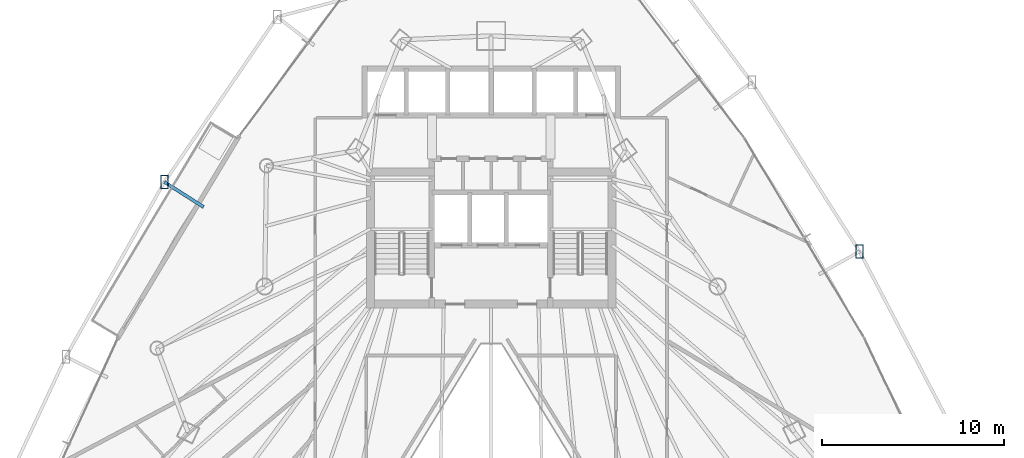
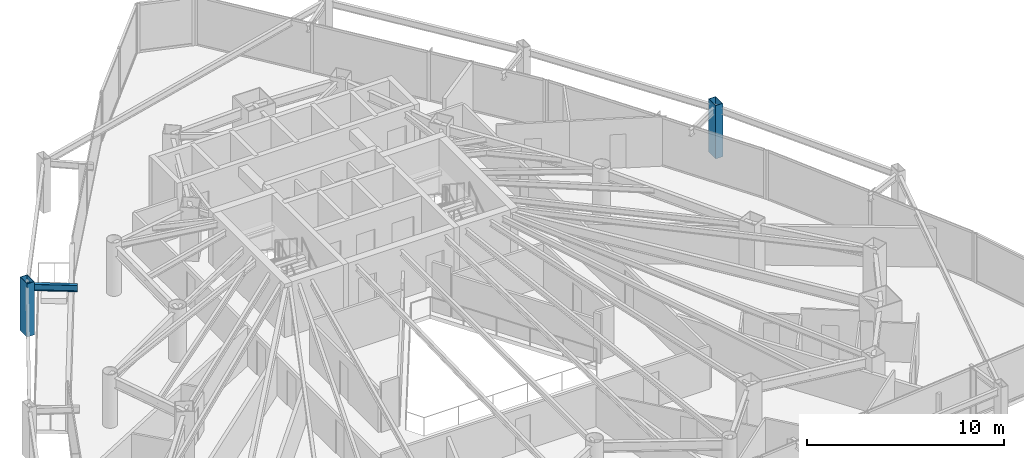
# One storey, part 22 of 38: 2 members, 1 beam.
"""IFC4 building model written with IfcOpenShell, lengths in metres."""

import ifcopenshell
import ifcopenshell.guid

model = None  # the IFC model being written
_history = None  # IfcOwnerHistory: only IFC2X3 demands one
_inside = {}  # id of a spatial element -> (the spatial element, [elements in it])
_under = {}  # id of a project, library or spatial element -> (it, [spatial elements below it])
_declared = {}  # id of a project -> (the project, [libraries it declares])
_typed = {}  # id of a type object -> (the type object, [elements of that type])
_made_of = {}  # id of a material, layer set ... -> (it, [elements and type objects made of it])


def new_model(schema):
    """Start an empty IFC model of exactly this schema.

    Asked for "IFC4X3", IfcOpenShell would pick the latest addendum, in which some entities
    have other attributes; the version numbers below select the first issue.
    IFC2X3 requires an IfcOwnerHistory on every rooted entity: one is made here for all.
    """
    global model, _history
    if schema == "IFC4X3":
        model = ifcopenshell.file(schema_version=(4, 3, 0, 0))
    else:
        model = ifcopenshell.file(schema=schema)
    _inside.clear()
    _under.clear()
    _declared.clear()
    _typed.clear()
    _made_of.clear()
    _history = None
    if model.schema == "IFC2X3":
        org = make("IfcOrganization", Name="unknown")
        user = make(
            "IfcPersonAndOrganization",
            ThePerson=make("IfcPerson", FamilyName="unknown"),
            TheOrganization=org,
        )
        app = make(
            "IfcApplication",
            ApplicationDeveloper=org,
            Version="unknown",
            ApplicationFullName="unknown",
            ApplicationIdentifier="unknown",
        )
        _history = make(
            "IfcOwnerHistory",
            OwningUser=user,
            OwningApplication=app,
            ChangeAction="ADDED",
            CreationDate=0,
        )
    return model


def make(cls, **values):
    """One entity of the class cls with the attributes given. An attribute that is None is left unset."""
    return model.create_entity(
        cls, **{name: value for name, value in values.items() if value is not None}
    )


def rooted(cls, **values):
    """An entity with a GlobalId (a new one), such as an element, a storey or a relation."""
    return make(cls, GlobalId=ifcopenshell.guid.new(), OwnerHistory=_history, **values)


def si_unit(unit_type, name, prefix=None):
    """IfcSIUnit, for example si_unit("LENGTHUNIT", "METRE", prefix="MILLI")."""
    return make("IfcSIUnit", UnitType=unit_type, Prefix=prefix, Name=name)


def assignment(units):
    """IfcUnitAssignment: the units of a project."""
    return None if units is None else make("IfcUnitAssignment", Units=units)


def point(xyz):
    """IfcCartesianPoint."""
    return None if xyz is None else make("IfcCartesianPoint", Coordinates=xyz)


def direction(xyz):
    """IfcDirection."""
    return None if xyz is None else make("IfcDirection", DirectionRatios=xyz)


def frame(location, z_axis=None, x_axis=None):
    """IfcAxis2Placement3D, a coordinate frame: its origin and axes. An axis left out is left unset."""
    return make(
        "IfcAxis2Placement3D",
        Location=point(location),
        Axis=direction(z_axis),
        RefDirection=direction(x_axis),
    )


def frame_2d(location, x_axis=None):
    """IfcAxis2Placement2D, a coordinate frame in the plane: its origin and x axis."""
    return make(
        "IfcAxis2Placement2D", Location=point(location), RefDirection=direction(x_axis)
    )


def origin():
    """The frame at (0, 0, 0) with its axes left unset."""
    return frame((0.0, 0.0, 0.0))


def origin_2d():
    """The frame at (0, 0) in the plane with its x axis left unset."""
    return frame_2d((0.0, 0.0))


def place(relative_to, where):
    """IfcLocalPlacement: puts the frame where relative to a parent placement (None: the world)."""
    return make(
        "IfcLocalPlacement", PlacementRelTo=relative_to, RelativePlacement=where
    )


def context(
    kind, dimensions, precision=None, world=None, true_north=None, identifier=None
):
    """IfcGeometricRepresentationContext, for example the 3D "Model" context."""
    return make(
        "IfcGeometricRepresentationContext",
        ContextIdentifier=identifier,
        ContextType=kind,
        CoordinateSpaceDimension=dimensions,
        Precision=precision,
        WorldCoordinateSystem=world,
        TrueNorth=true_north,
    )


def subcontext(parent, identifier, kind, view, scale=None):
    """IfcGeometricRepresentationSubContext, for example "Body" below "Model"."""
    return make(
        "IfcGeometricRepresentationSubContext",
        ContextIdentifier=identifier,
        ContextType=kind,
        ParentContext=parent,
        TargetScale=scale,
        TargetView=view,
    )


def project(units=None, contexts=None):
    """IfcProject with its units and contexts."""
    return rooted(
        "IfcProject",
        Name="project",
        RepresentationContexts=contexts,
        UnitsInContext=assignment(units),
    )


def spatial(cls, under=None, at=None, **own):
    """A site, building, storey or space (cls), placed at a placement, below another one or the project."""
    s = rooted(cls, ObjectPlacement=at, **own)
    if under is not None:
        _under.setdefault(under.id(), (under, []))[1].append(s)
    return s


def profile(cls, at=None, kind="AREA", **sizes):
    """A parametric profile (cls). Its sizes go by their IFC names, for example OverallWidth=200.0."""
    return make(cls, ProfileType=kind, Position=at, **sizes)


def hollow_rectangle(**sizes):
    """IfcRectangleHollowProfileDef."""
    return profile("IfcRectangleHollowProfileDef", **sizes)


def i_section(**sizes):
    """IfcIShapeProfileDef."""
    return profile("IfcIShapeProfileDef", **sizes)


def extrude(swept, where, along, depth):
    """IfcExtrudedAreaSolid: the profile swept, set in the frame where, extruded along a direction by depth."""
    return make(
        "IfcExtrudedAreaSolid",
        SweptArea=swept,
        Position=where,
        ExtrudedDirection=direction(along),
        Depth=depth,
    )


def shape(context_of_items, identifier, shape_type, items):
    """IfcShapeRepresentation: the items that make up one representation, for example the "Body"."""
    return make(
        "IfcShapeRepresentation",
        ContextOfItems=context_of_items,
        RepresentationIdentifier=identifier,
        RepresentationType=shape_type,
        Items=items,
    )


def material(Name=None, Category=None):
    """IfcMaterial."""
    return make("IfcMaterial", Name=Name, Category=Category)


def material_profile(
    of_material, cross_section, Name=None, Category=None, Priority=None
):
    """IfcMaterialProfile: a cross section and its material."""
    return make(
        "IfcMaterialProfile",
        Name=Name,
        Material=of_material,
        Profile=cross_section,
        Priority=Priority,
        Category=Category,
    )


def profile_set(profiles, Name=None, composite=None):
    """IfcMaterialProfileSet."""
    return make(
        "IfcMaterialProfileSet",
        Name=Name,
        MaterialProfiles=profiles,
        CompositeProfile=composite,
    )


def made_of(thing, what):
    """Note that an element or type object is made of a material, layer set ...; save() writes the relation."""
    if what is not None:
        _made_of.setdefault(what.id(), (what, []))[1].append(thing)
    return thing


def type_object(cls, material=None, **own):
    """A type object (cls), such as IfcWallType, which elements share."""
    return made_of(rooted(cls, **own), material)


def element(
    cls,
    number,
    at=None,
    inside=None,
    cuts=None,
    type_object=None,
    material=None,
    context=None,
    identifier="Body",
    shape_type=None,
    held_by="IfcProductDefinitionShape",
    body=None,
    shapes=None,
    **own,
):
    """One element of the class cls, such as IfcWall. Its Tag is "e" and its number.

    at: its placement. inside: the storey or other place that contains it. cuts: it is an
    opening in that element (IfcRelVoidsElement). A single representation is given by context,
    identifier, shape_type and body (its items); several are given by shapes. held_by: the class
    of the entity that holds the representations. save() writes the other relations.
    """
    e = rooted(cls, Tag="e%d" % number, ObjectPlacement=at, **own)
    if body is not None:
        shapes = [shape(context, identifier, shape_type, body)]
    if shapes is not None:
        e.Representation = make(held_by, Representations=shapes)
    if inside is not None:
        _inside.setdefault(inside.id(), (inside, []))[1].append(e)
    if cuts is not None:
        rooted(
            "IfcRelVoidsElement", RelatingBuildingElement=cuts, RelatedOpeningElement=e
        )
    if type_object is not None:
        _typed.setdefault(type_object.id(), (type_object, []))[1].append(e)
    return made_of(e, material)


def aggregate(whole, parts):
    """IfcRelAggregates: a whole, such as a stair, and the parts it consists of."""
    return rooted("IfcRelAggregates", RelatingObject=whole, RelatedObjects=parts)


def save(model, path):
    """Write the relations noted so far, then the file.

    IfcRelAggregates (storeys below a building ...), IfcRelContainedInSpatialStructure (elements
    in a storey), IfcRelDefinesByType, IfcRelAssociatesMaterial and IfcRelDeclares: one each for
    every whole, place, type object, material and project.
    """
    for whole, parts in _under.values():
        aggregate(whole, parts)
    for where, things in _inside.values():
        rooted(
            "IfcRelContainedInSpatialStructure",
            RelatedElements=things,
            RelatingStructure=where,
        )
    for kind, things in _typed.values():
        rooted("IfcRelDefinesByType", RelatedObjects=things, RelatingType=kind)
    for what, things in _made_of.values():
        rooted("IfcRelAssociatesMaterial", RelatedObjects=things, RelatingMaterial=what)
    for by, libraries in _declared.values():
        rooted("IfcRelDeclares", RelatingContext=by, RelatedDefinitions=libraries)
    model.write(path)


model = new_model("IFC4")

# Units and contexts
model_context = context("Model", 3, precision=1e-05, world=origin(), true_north=direction((0.0, 1.0)))
body_context = subcontext(model_context, "Body", "Model", "MODEL_VIEW")
ifc_project = project(units=[si_unit("LENGTHUNIT", "METRE"), si_unit("AREAUNIT", "SQUARE_METRE"), si_unit("VOLUMEUNIT", "CUBIC_METRE"), si_unit("PLANEANGLEUNIT", "RADIAN"), si_unit("MASSUNIT", "GRAM", prefix="KILO")], contexts=[model_context])

# Site, building, storey
site_placement = place(None, origin())
site = spatial("IfcSite", under=ifc_project, at=site_placement, CompositionType="ELEMENT")
building_placement = place(site_placement, origin())
building = spatial("IfcBuilding", under=site, at=building_placement, Name="Orvanel Arch Residences", CompositionType="ELEMENT")
storey_placement = place(building_placement, frame((0.0, 0.0, 46.699951171875)))
storey = spatial("IfcBuildingStorey", under=building, at=storey_placement, Name="L12", CompositionType="ELEMENT", Elevation=46.699951171875)

# Members
ifc_material_1 = material(Name="Structural steel AS/NZS 3678 Grade 350", Category="steel")
ifc_material_profile_1 = material_profile(ifc_material_1, hollow_rectangle(XDim=0.419921875, YDim=0.719970703125, WallThickness=0.02490234375, at=origin_2d()), Name="RHS720x420x25")
ifc_profile_set_1 = profile_set([ifc_material_profile_1], Name="Structural steel AS/NZS 3678 Grade 350")
member_type = type_object("IfcMemberType", Name="CH-720RHS-EXT", PredefinedType="CHORD", material=ifc_profile_set_1)
for number, where, z_axis, x_axis, name in (
    (1, (15.06591796875, 33.3740234375, 0.0), (0.0, 0.0, 1.0), (1.0, 0.0, 0.0), "L12 Outer Perimeter Frame Post 02"),
    (2, (53.221923828125, 29.55908203125, 0.0), (0.0, 0.0, 1.0), (1.0, 0.0, 0.0), "L12 Outer Perimeter Frame Post 10"),
):
    element("IfcMember", number, at=place(storey_placement, frame(where, z_axis=z_axis, x_axis=x_axis)), inside=storey, type_object=member_type, Name=name, PredefinedType="CHORD", context=body_context, shape_type="SweptSolid", body=[
        extrude(hollow_rectangle(XDim=0.419921875, YDim=0.719970703125, WallThickness=0.02490234375, at=origin_2d()), origin(), (0.0, 0.0, 1.0), 3.300048828125),
    ])

# Beam
ifc_material_2 = material(Name="Structural steel AS/NZS 3679.1 Grade 300 (300 MPa)", Category="steel")
ifc_material_profile_2 = material_profile(ifc_material_2, i_section(OverallWidth=0.177978515625, OverallDepth=0.406005859375, WebThickness=0.0078125, FlangeThickness=0.0126953125, at=origin_2d()), Name="410UB59.7")
ifc_profile_set_2 = profile_set([ifc_material_profile_2], Name="Structural steel AS/NZS 3679.1 Grade 300 (300 MPa)")
beam_type = type_object("IfcBeamType", Name="OB-410UB-EXT", PredefinedType="SPANDREL", material=ifc_profile_set_2)
beam_placement = place(storey_placement, frame((17.216064453125, 32.0029296875, 2.85693359375), z_axis=(-0.843160469914, 0.53766199603, 0.0), x_axis=(-0.53766199603, -0.843160469914, 0.0)))
element("IfcBeam", 3, at=beam_placement, inside=storey, type_object=beam_type, Name="L12 Outer Frame Radial Tie Beam 02", PredefinedType="SPANDREL", context=body_context, shape_type="SweptSolid", body=[
    extrude(i_section(OverallWidth=0.177978515625, OverallDepth=0.406005859375, WebThickness=0.0078125, FlangeThickness=0.0126953125, at=origin_2d()), origin(), (0.0, 0.0, 1.0), 2.550048828125),
])

save(model, "model.ifc")
